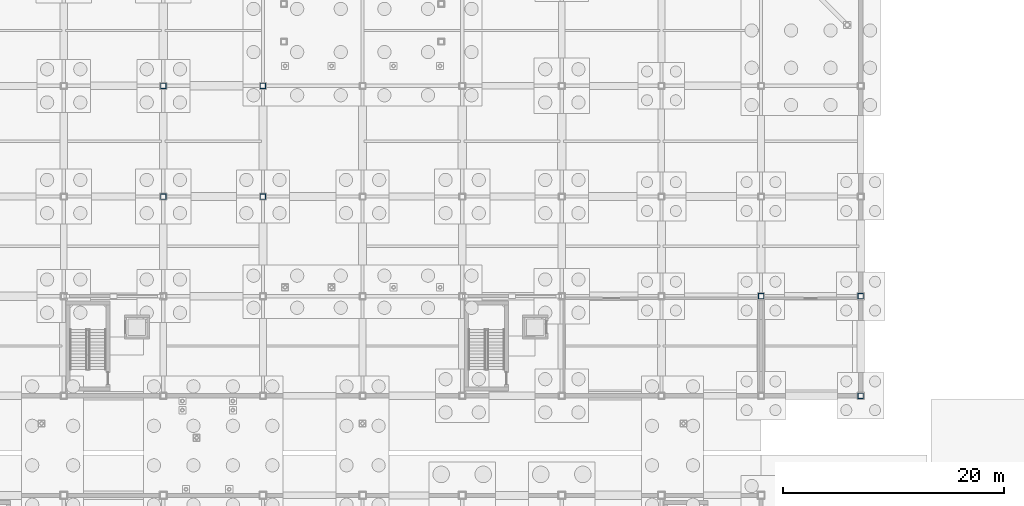
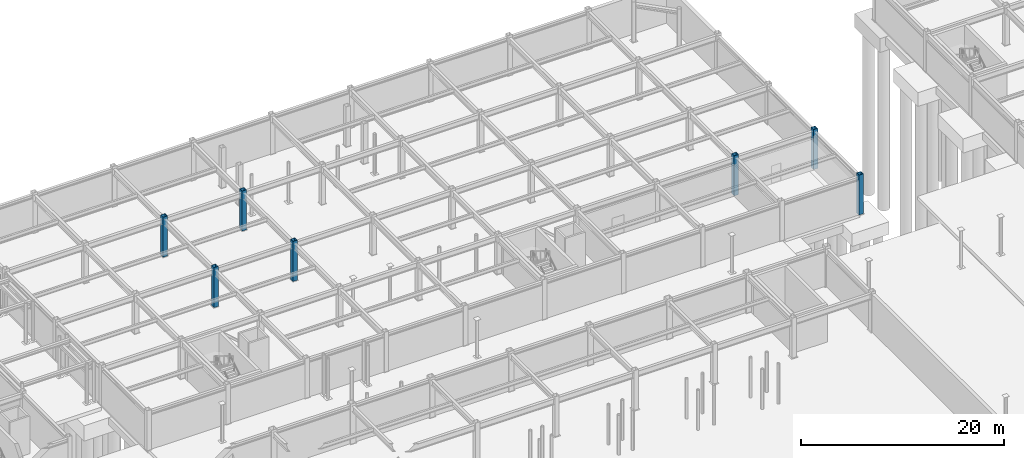
# One storey, part 30 of 74: 7 columns.
"""IFC4 building model written with IfcOpenShell, lengths in metres."""

from ifc_helpers import new_model, si_unit, direction, frame, origin, origin_2d, place, context, subcontext, project, spatial, hollow_rectangle, extrude, material, material_profile, profile_set, type_object, element, save


model = new_model("IFC4")

# Units and contexts
model_context = context("Model", 3, precision=1e-05, world=origin(), true_north=direction((0.0, 1.0)))
body_context = subcontext(model_context, "Body", "Model", "MODEL_VIEW")
ifc_project = project(units=[si_unit("LENGTHUNIT", "METRE"), si_unit("AREAUNIT", "SQUARE_METRE"), si_unit("VOLUMEUNIT", "CUBIC_METRE"), si_unit("PLANEANGLEUNIT", "RADIAN"), si_unit("MASSUNIT", "GRAM", prefix="KILO")], contexts=[model_context])

# Site, building, storey
site_placement = place(None, origin())
site = spatial("IfcSite", under=ifc_project, at=site_placement, CompositionType="ELEMENT")
building_placement = place(site_placement, origin())
building = spatial("IfcBuilding", under=site, at=building_placement, Name="Suzunagisa Mobility Hub", CompositionType="ELEMENT")
storey_placement = place(building_placement, frame((0.0, 0.0, -4.800048828125)))
storey = spatial("IfcBuildingStorey", under=building, at=storey_placement, Name="B1", CompositionType="ELEMENT", Elevation=-4.800048828125)

# Columns
ifc_material = material(Name="Steel SN490B", Category="steel")
ifc_material_profile = material_profile(ifc_material, hollow_rectangle(XDim=0.5, YDim=0.5, WallThickness=0.02490234375, at=origin_2d()), Name="BCR-500x500x25")
ifc_profile_set = profile_set([ifc_material_profile], Name="Steel SN490B")
column_type = type_object("IfcColumnType", Name="Steel Column CL-11 BCR-500x500x25", PredefinedType="COLUMN", material=ifc_profile_set)
for number, where, z_axis, x_axis, name in (
    (1, (63.0, 98.0, 0.0), (0.0, 0.0, 1.0), (1.0, 0.0, 0.0), "B1 Column 140"),
    (2, (63.0, 108.0, 0.0), (0.0, 0.0, 1.0), (1.0, 0.0, 0.0), "B1 Column 141"),
    (3, (72.0, 98.0, 0.0), (0.0, 0.0, 1.0), (1.0, 0.0, 0.0), "B1 Column 156"),
    (4, (72.0, 108.0, 0.0), (0.0, 0.0, 1.0), (1.0, 0.0, 0.0), "B1 Column 157"),
    (5, (117.0, 89.0, 0.0), (0.0, 0.0, 1.0), (1.0, 0.0, 0.0), "B1 Column 216"),
    (6, (126.0, 80.0, 0.0), (0.0, 0.0, 1.0), (1.0, 0.0, 0.0), "B1 Column 233"),
    (7, (126.0, 89.0, 0.0), (0.0, 0.0, 1.0), (1.0, 0.0, 0.0), "B1 Column 234"),
):
    element("IfcColumn", number, at=place(storey_placement, frame(where, z_axis=z_axis, x_axis=x_axis)), inside=storey, type_object=column_type, Name=name, PredefinedType="COLUMN", context=body_context, shape_type="SweptSolid", body=[
        extrude(hollow_rectangle(XDim=0.5, YDim=0.5, WallThickness=0.02490234375, at=origin_2d()), origin(), (0.0, 0.0, 1.0), 4.800048828125),
    ])

save(model, "model.ifc")
